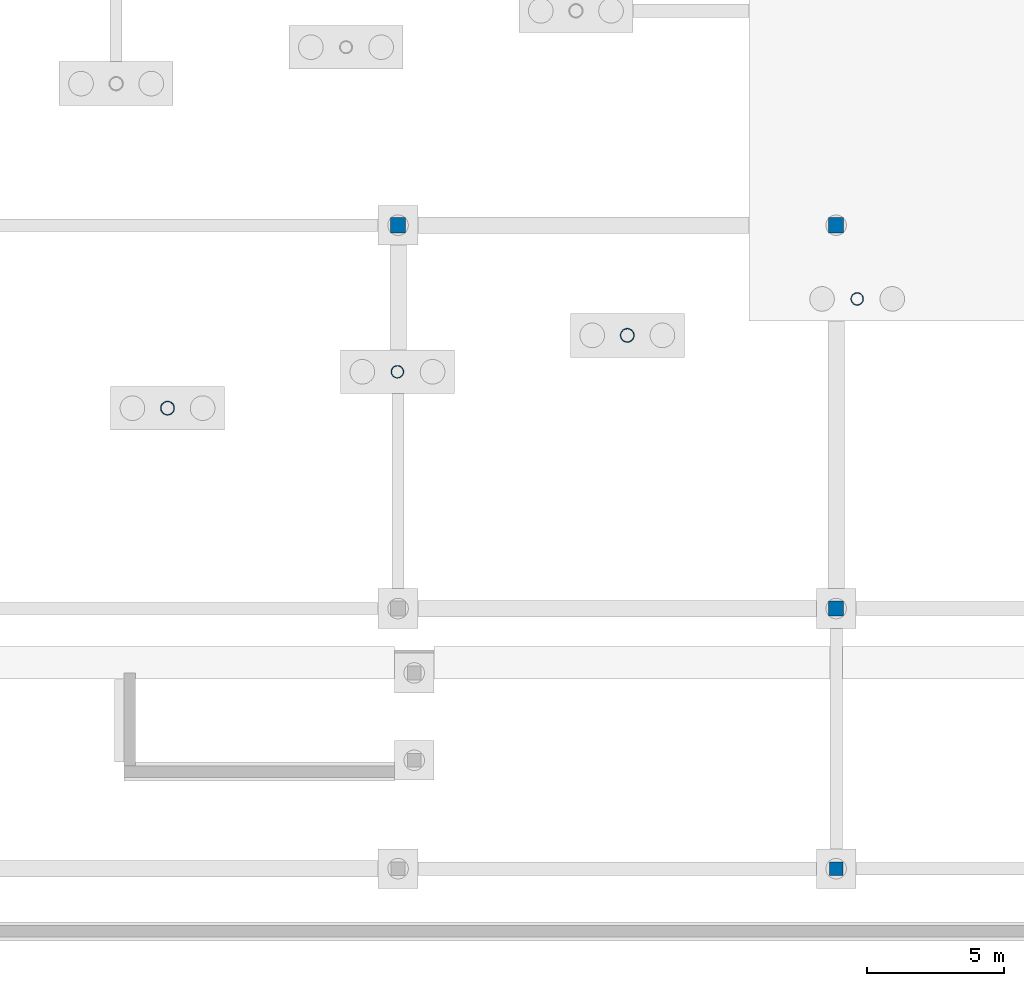
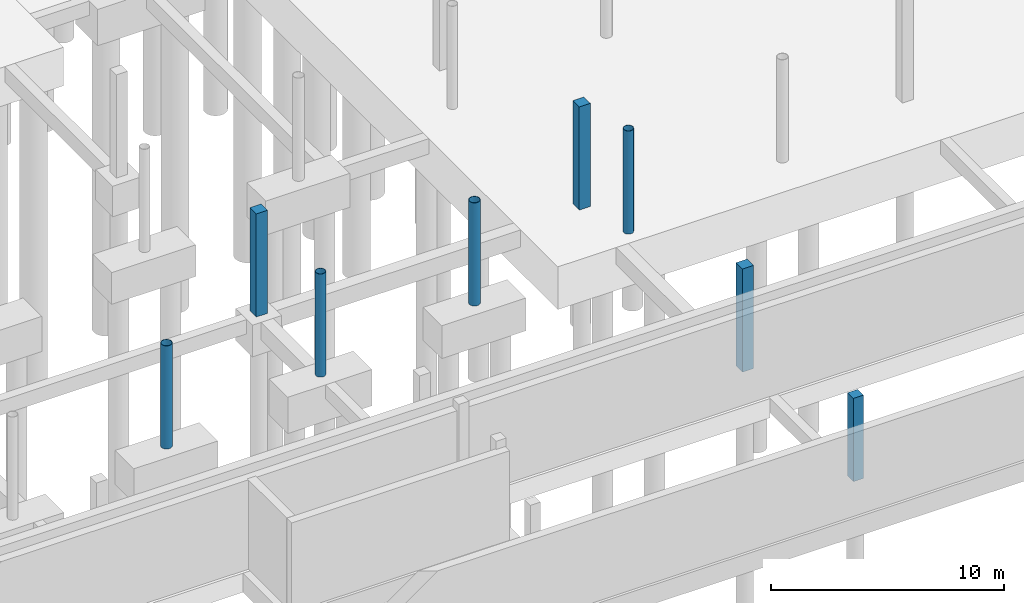
# One storey, part 22 of 65: 8 columns.
"""IFC4 building model written with IfcOpenShell, lengths in metres."""

import ifcopenshell
import ifcopenshell.guid

model = None  # the IFC model being written
_history = None  # IfcOwnerHistory: only IFC2X3 demands one
_inside = {}  # id of a spatial element -> (the spatial element, [elements in it])
_under = {}  # id of a project, library or spatial element -> (it, [spatial elements below it])
_declared = {}  # id of a project -> (the project, [libraries it declares])
_typed = {}  # id of a type object -> (the type object, [elements of that type])
_made_of = {}  # id of a material, layer set ... -> (it, [elements and type objects made of it])


def new_model(schema):
    """Start an empty IFC model of exactly this schema.

    Asked for "IFC4X3", IfcOpenShell would pick the latest addendum, in which some entities
    have other attributes; the version numbers below select the first issue.
    IFC2X3 requires an IfcOwnerHistory on every rooted entity: one is made here for all.
    """
    global model, _history
    if schema == "IFC4X3":
        model = ifcopenshell.file(schema_version=(4, 3, 0, 0))
    else:
        model = ifcopenshell.file(schema=schema)
    _inside.clear()
    _under.clear()
    _declared.clear()
    _typed.clear()
    _made_of.clear()
    _history = None
    if model.schema == "IFC2X3":
        org = make("IfcOrganization", Name="unknown")
        user = make(
            "IfcPersonAndOrganization",
            ThePerson=make("IfcPerson", FamilyName="unknown"),
            TheOrganization=org,
        )
        app = make(
            "IfcApplication",
            ApplicationDeveloper=org,
            Version="unknown",
            ApplicationFullName="unknown",
            ApplicationIdentifier="unknown",
        )
        _history = make(
            "IfcOwnerHistory",
            OwningUser=user,
            OwningApplication=app,
            ChangeAction="ADDED",
            CreationDate=0,
        )
    return model


def make(cls, **values):
    """One entity of the class cls with the attributes given. An attribute that is None is left unset."""
    return model.create_entity(
        cls, **{name: value for name, value in values.items() if value is not None}
    )


def rooted(cls, **values):
    """An entity with a GlobalId (a new one), such as an element, a storey or a relation."""
    return make(cls, GlobalId=ifcopenshell.guid.new(), OwnerHistory=_history, **values)


def si_unit(unit_type, name, prefix=None):
    """IfcSIUnit, for example si_unit("LENGTHUNIT", "METRE", prefix="MILLI")."""
    return make("IfcSIUnit", UnitType=unit_type, Prefix=prefix, Name=name)


def assignment(units):
    """IfcUnitAssignment: the units of a project."""
    return None if units is None else make("IfcUnitAssignment", Units=units)


def point(xyz):
    """IfcCartesianPoint."""
    return None if xyz is None else make("IfcCartesianPoint", Coordinates=xyz)


def direction(xyz):
    """IfcDirection."""
    return None if xyz is None else make("IfcDirection", DirectionRatios=xyz)


def frame(location, z_axis=None, x_axis=None):
    """IfcAxis2Placement3D, a coordinate frame: its origin and axes. An axis left out is left unset."""
    return make(
        "IfcAxis2Placement3D",
        Location=point(location),
        Axis=direction(z_axis),
        RefDirection=direction(x_axis),
    )


def frame_2d(location, x_axis=None):
    """IfcAxis2Placement2D, a coordinate frame in the plane: its origin and x axis."""
    return make(
        "IfcAxis2Placement2D", Location=point(location), RefDirection=direction(x_axis)
    )


def origin():
    """The frame at (0, 0, 0) with its axes left unset."""
    return frame((0.0, 0.0, 0.0))


def origin_2d():
    """The frame at (0, 0) in the plane with its x axis left unset."""
    return frame_2d((0.0, 0.0))


def place(relative_to, where):
    """IfcLocalPlacement: puts the frame where relative to a parent placement (None: the world)."""
    return make(
        "IfcLocalPlacement", PlacementRelTo=relative_to, RelativePlacement=where
    )


def context(
    kind, dimensions, precision=None, world=None, true_north=None, identifier=None
):
    """IfcGeometricRepresentationContext, for example the 3D "Model" context."""
    return make(
        "IfcGeometricRepresentationContext",
        ContextIdentifier=identifier,
        ContextType=kind,
        CoordinateSpaceDimension=dimensions,
        Precision=precision,
        WorldCoordinateSystem=world,
        TrueNorth=true_north,
    )


def subcontext(parent, identifier, kind, view, scale=None):
    """IfcGeometricRepresentationSubContext, for example "Body" below "Model"."""
    return make(
        "IfcGeometricRepresentationSubContext",
        ContextIdentifier=identifier,
        ContextType=kind,
        ParentContext=parent,
        TargetScale=scale,
        TargetView=view,
    )


def project(units=None, contexts=None):
    """IfcProject with its units and contexts."""
    return rooted(
        "IfcProject",
        Name="project",
        RepresentationContexts=contexts,
        UnitsInContext=assignment(units),
    )


def spatial(cls, under=None, at=None, **own):
    """A site, building, storey or space (cls), placed at a placement, below another one or the project."""
    s = rooted(cls, ObjectPlacement=at, **own)
    if under is not None:
        _under.setdefault(under.id(), (under, []))[1].append(s)
    return s


def profile(cls, at=None, kind="AREA", **sizes):
    """A parametric profile (cls). Its sizes go by their IFC names, for example OverallWidth=200.0."""
    return make(cls, ProfileType=kind, Position=at, **sizes)


def rectangle(**sizes):
    """IfcRectangleProfileDef."""
    return profile("IfcRectangleProfileDef", **sizes)


def hollow_circle(**sizes):
    """IfcCircleHollowProfileDef."""
    return profile("IfcCircleHollowProfileDef", **sizes)


def extrude(swept, where, along, depth):
    """IfcExtrudedAreaSolid: the profile swept, set in the frame where, extruded along a direction by depth."""
    return make(
        "IfcExtrudedAreaSolid",
        SweptArea=swept,
        Position=where,
        ExtrudedDirection=direction(along),
        Depth=depth,
    )


def shape(context_of_items, identifier, shape_type, items):
    """IfcShapeRepresentation: the items that make up one representation, for example the "Body"."""
    return make(
        "IfcShapeRepresentation",
        ContextOfItems=context_of_items,
        RepresentationIdentifier=identifier,
        RepresentationType=shape_type,
        Items=items,
    )


def material(Name=None, Category=None):
    """IfcMaterial."""
    return make("IfcMaterial", Name=Name, Category=Category)


def material_profile(
    of_material, cross_section, Name=None, Category=None, Priority=None
):
    """IfcMaterialProfile: a cross section and its material."""
    return make(
        "IfcMaterialProfile",
        Name=Name,
        Material=of_material,
        Profile=cross_section,
        Priority=Priority,
        Category=Category,
    )


def profile_set(profiles, Name=None, composite=None):
    """IfcMaterialProfileSet."""
    return make(
        "IfcMaterialProfileSet",
        Name=Name,
        MaterialProfiles=profiles,
        CompositeProfile=composite,
    )


def made_of(thing, what):
    """Note that an element or type object is made of a material, layer set ...; save() writes the relation."""
    if what is not None:
        _made_of.setdefault(what.id(), (what, []))[1].append(thing)
    return thing


def type_object(cls, material=None, **own):
    """A type object (cls), such as IfcWallType, which elements share."""
    return made_of(rooted(cls, **own), material)


def element(
    cls,
    number,
    at=None,
    inside=None,
    cuts=None,
    type_object=None,
    material=None,
    context=None,
    identifier="Body",
    shape_type=None,
    held_by="IfcProductDefinitionShape",
    body=None,
    shapes=None,
    **own,
):
    """One element of the class cls, such as IfcWall. Its Tag is "e" and its number.

    at: its placement. inside: the storey or other place that contains it. cuts: it is an
    opening in that element (IfcRelVoidsElement). A single representation is given by context,
    identifier, shape_type and body (its items); several are given by shapes. held_by: the class
    of the entity that holds the representations. save() writes the other relations.
    """
    e = rooted(cls, Tag="e%d" % number, ObjectPlacement=at, **own)
    if body is not None:
        shapes = [shape(context, identifier, shape_type, body)]
    if shapes is not None:
        e.Representation = make(held_by, Representations=shapes)
    if inside is not None:
        _inside.setdefault(inside.id(), (inside, []))[1].append(e)
    if cuts is not None:
        rooted(
            "IfcRelVoidsElement", RelatingBuildingElement=cuts, RelatedOpeningElement=e
        )
    if type_object is not None:
        _typed.setdefault(type_object.id(), (type_object, []))[1].append(e)
    return made_of(e, material)


def aggregate(whole, parts):
    """IfcRelAggregates: a whole, such as a stair, and the parts it consists of."""
    return rooted("IfcRelAggregates", RelatingObject=whole, RelatedObjects=parts)


def save(model, path):
    """Write the relations noted so far, then the file.

    IfcRelAggregates (storeys below a building ...), IfcRelContainedInSpatialStructure (elements
    in a storey), IfcRelDefinesByType, IfcRelAssociatesMaterial and IfcRelDeclares: one each for
    every whole, place, type object, material and project.
    """
    for whole, parts in _under.values():
        aggregate(whole, parts)
    for where, things in _inside.values():
        rooted(
            "IfcRelContainedInSpatialStructure",
            RelatedElements=things,
            RelatingStructure=where,
        )
    for kind, things in _typed.values():
        rooted("IfcRelDefinesByType", RelatedObjects=things, RelatingType=kind)
    for what, things in _made_of.values():
        rooted("IfcRelAssociatesMaterial", RelatedObjects=things, RelatingMaterial=what)
    for by, libraries in _declared.values():
        rooted("IfcRelDeclares", RelatingContext=by, RelatedDefinitions=libraries)
    model.write(path)


model = new_model("IFC4")

# Units and contexts
model_context = context("Model", 3, precision=1e-05, world=origin(), true_north=direction((0.0, 1.0)))
body_context = subcontext(model_context, "Body", "Model", "MODEL_VIEW")
ifc_project = project(units=[si_unit("LENGTHUNIT", "METRE"), si_unit("AREAUNIT", "SQUARE_METRE"), si_unit("VOLUMEUNIT", "CUBIC_METRE"), si_unit("PLANEANGLEUNIT", "RADIAN"), si_unit("MASSUNIT", "GRAM", prefix="KILO")], contexts=[model_context])

# Site, building, storey
site_placement = place(None, origin())
site = spatial("IfcSite", under=ifc_project, at=site_placement, CompositionType="ELEMENT")
building_placement = place(site_placement, origin())
building = spatial("IfcBuilding", under=site, at=building_placement, Name="Khorjan Park Terminus", CompositionType="ELEMENT")
storey_placement = place(building_placement, frame((0.0, 0.0, -5.4)))
storey = spatial("IfcBuildingStorey", under=building, at=storey_placement, Name="B1", CompositionType="ELEMENT", Elevation=-5.4)

# Columns
ifc_material_1 = material(Name="Concrete C40/50", Category="concrete")
ifc_material_profile_1 = material_profile(ifc_material_1, rectangle(XDim=0.5, YDim=0.5, at=origin_2d()), Name="RC 500x500")
ifc_profile_set_1 = profile_set([ifc_material_profile_1], Name="Concrete C40/50")
column_type_1 = type_object("IfcColumnType", Name="COL-RC500", PredefinedType="COLUMN", material=ifc_profile_set_1)
column_placement = place(storey_placement, frame((112.0, -21.5, 0.0), z_axis=(0.0, 0.0, 1.0), x_axis=(1.0, 0.0, 0.0)))
element("IfcColumn", 1, at=column_placement, inside=storey, type_object=column_type_1, Name="Structural column C-RC05 (B1 #969)", PredefinedType="COLUMN", context=body_context, shape_type="SweptSolid", body=[
    extrude(rectangle(XDim=0.5, YDim=0.5, at=origin_2d()), origin(), (0.0, 0.0, 1.0), 4.36),
])
ifc_material_profile_2 = material_profile(ifc_material_1, rectangle(XDim=0.55, YDim=0.55, at=origin_2d()), Name="RC 550x550")
ifc_profile_set_2 = profile_set([ifc_material_profile_2], Name="Concrete C40/50")
column_type_2 = type_object("IfcColumnType", Name="COL-RC550", PredefinedType="COLUMN", material=ifc_profile_set_2)
for number, where, z_axis, x_axis, name in (
    (2, (96.0, 2.0, 0.0), (0.0, 0.0, 1.0), (1.0, 0.0, 0.0), "Structural column C-RC55 (B1 #963)"),
    (3, (112.0, 2.0, 0.0), (0.0, 0.0, 1.0), (1.0, 0.0, 0.0), "Structural column C-RC55 (B1 #967)"),
    (4, (112.0, -12.0, 0.0), (0.0, 0.0, 1.0), (1.0, 0.0, 0.0), "Structural column C-RC55 (B1 #968)"),
):
    element("IfcColumn", number, at=place(storey_placement, frame(where, z_axis=z_axis, x_axis=x_axis)), inside=storey, type_object=column_type_2, Name=name, PredefinedType="COLUMN", context=body_context, shape_type="SweptSolid", body=[
        extrude(rectangle(XDim=0.55, YDim=0.55, at=origin_2d()), origin(), (0.0, 0.0, 1.0), 5.4),
    ])
ifc_material_2 = material(Name="Steel S355", Category="steel")
ifc_material_profile_3 = material_profile(ifc_material_2, hollow_circle(Radius=0.2285, WallThickness=0.016, at=origin_2d()), Name="CHS 457x16")
ifc_profile_set_3 = profile_set([ifc_material_profile_3], Name="Steel S355")
column_type_3 = type_object("IfcColumnType", Name="COL-SH457E", PredefinedType="COLUMN", material=ifc_profile_set_3)
for number, where, z_axis, x_axis, name in (
    (5, (95.977, -3.352, 0.0), (0.0, 0.0, 1.0), (0.987688340595, 0.15643446504, 0.0), "Structural column SC-46 (B1 #572)"),
    (6, (112.767, -0.692, 0.0), (0.0, 0.0, 1.0), (0.987688340595, 0.15643446504, 0.0), "Structural column SC-46 (B1 #584)"),
):
    element("IfcColumn", number, at=place(storey_placement, frame(where, z_axis=z_axis, x_axis=x_axis)), inside=storey, type_object=column_type_3, Name=name, PredefinedType="COLUMN", context=body_context, shape_type="SweptSolid", body=[
        extrude(hollow_circle(Radius=0.2285, WallThickness=0.016, at=origin_2d()), origin(), (0.0, 0.0, 1.0), 5.4),
    ])
ifc_material_profile_4 = material_profile(ifc_material_2, hollow_circle(Radius=0.254, WallThickness=0.02, at=origin_2d()), Name="CHS 508x20")
ifc_profile_set_4 = profile_set([ifc_material_profile_4], Name="Steel S355")
column_type_4 = type_object("IfcColumnType", Name="COL-SH508E", PredefinedType="COLUMN", material=ifc_profile_set_4)
for number, where, z_axis, x_axis, name in (
    (7, (87.581, -4.681, 0.0), (0.0, 0.0, 1.0), (0.987688340595, 0.15643446504, 0.0), "Structural column SC-51 (B1 #566)"),
    (8, (104.372, -2.022, 0.0), (0.0, 0.0, 1.0), (0.987688340595, 0.15643446504, 0.0), "Structural column SC-51 (B1 #578)"),
):
    element("IfcColumn", number, at=place(storey_placement, frame(where, z_axis=z_axis, x_axis=x_axis)), inside=storey, type_object=column_type_4, Name=name, PredefinedType="COLUMN", context=body_context, shape_type="SweptSolid", body=[
        extrude(hollow_circle(Radius=0.254, WallThickness=0.02, at=origin_2d()), origin(), (0.0, 0.0, 1.0), 5.4),
    ])

save(model, "model.ifc")
